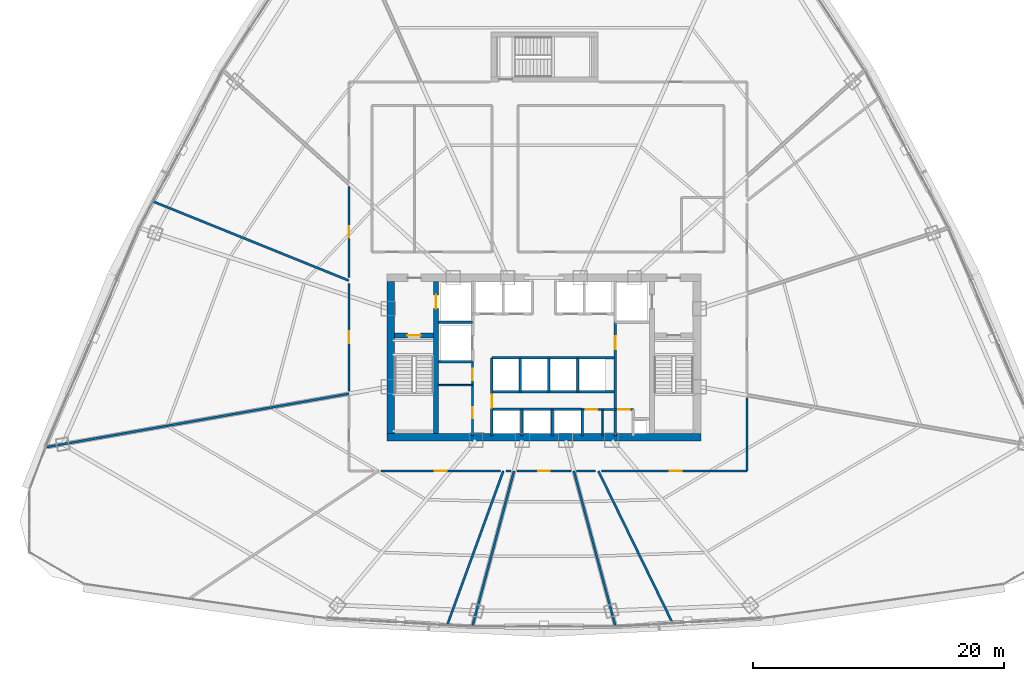
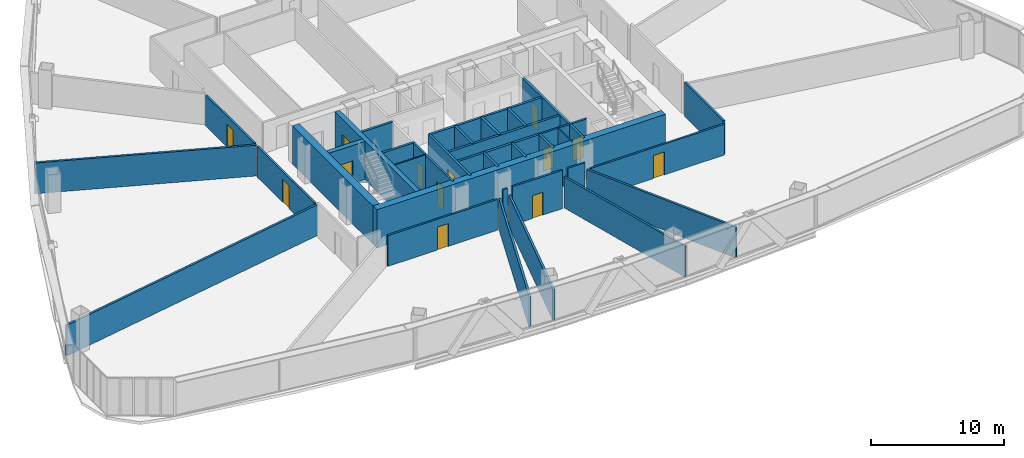
# One storey, part 34 of 41: 35 walls, 13 doors, 13 openings.
"""IFC4 building model written with IfcOpenShell, lengths in metres."""

from ifc_helpers import new_model, si_unit, direction, frame, frame_2d, origin, origin_with_axes, place, context, subcontext, project, spatial, rectangle, extrude, source, transform, mapped, material, layer, layer_set, type_object, element, fill, save


model = new_model("IFC4")

# Units and contexts
model_context = context("Model", 3, precision=1e-05, world=origin(), true_north=direction((0.0, 1.0)))
body_context = subcontext(model_context, "Body", "Model", "MODEL_VIEW")
ifc_project = project(units=[si_unit("LENGTHUNIT", "METRE"), si_unit("AREAUNIT", "SQUARE_METRE"), si_unit("VOLUMEUNIT", "CUBIC_METRE"), si_unit("PLANEANGLEUNIT", "RADIAN"), si_unit("MASSUNIT", "GRAM", prefix="KILO"), si_unit("THERMODYNAMICTEMPERATUREUNIT", "KELVIN"), si_unit("POWERUNIT", "WATT")], contexts=[model_context])

# Site, building, storey
site_placement = place(None, origin())
site = spatial("IfcSite", under=ifc_project, at=site_placement, CompositionType="ELEMENT")
building_placement = place(site_placement, origin())
building = spatial("IfcBuilding", under=site, at=building_placement, Name="Yunzhuo Pagoda Commons", CompositionType="ELEMENT")
storey_placement = place(building_placement, frame((0.0, 0.0, 115.3798828125)))
storey = spatial("IfcBuildingStorey", under=building, at=storey_placement, Name="L29", CompositionType="ELEMENT", Elevation=115.3798828125)

# Walls
ifc_material_1 = material(Name="Concrete C60", Category="concrete")
ifc_layer_1 = layer(ifc_material_1, 0.60009765625)
ifc_layer_set_1 = layer_set([ifc_layer_1], Name="Concrete C60")
wall_type_1 = type_object("IfcWallType", Name="W-C02 Mid Core Shear Wall 600", PredefinedType="SHEAR", material=ifc_layer_set_1)
wall_1_placement = place(storey_placement, frame((35.5, 27.5, 0.0), z_axis=(0.0, 0.0, 1.0), x_axis=(1.0, 0.0, 0.0)))
element("IfcWall", 1, at=wall_1_placement, inside=storey, type_object=wall_type_1, Name="L29 core shear wall S", PredefinedType="SHEAR", context=body_context, shape_type="SweptSolid", body=[
    extrude(rectangle(XDim=25.0, YDim=0.60009765625, at=frame_2d((12.5, 0.0))), origin(), (0.0, 0.0, 1.0), 3.52001953125),
])
wall_2_placement = place(storey_placement, frame((35.800048828125, 27.800048828125, 0.0), z_axis=(0.0, 0.0, 1.0), x_axis=(0.0, 1.0, 0.0)))
element("IfcWall", 2, at=wall_2_placement, inside=storey, type_object=wall_type_1, Name="L29 core shear wall W", PredefinedType="SHEAR", context=body_context, shape_type="SweptSolid", body=[
    extrude(rectangle(XDim=12.099853515625, YDim=0.60009765625, at=frame_2d((6.0498046875, 0.0))), origin(), (0.0, 0.0, 1.0), 3.52001953125),
])

# Wall, openings, doors
ifc_material_2 = material(Name="Gypsum plasterboard on acoustic stud")
ifc_layer_2 = layer(ifc_material_2, 0.159912109375)
ifc_layer_set_2 = layer_set([ifc_layer_2], Name="Gypsum plasterboard on acoustic stud")
wall_type_2 = type_object("IfcWallType", Name="W-COR1 Tower Rated Corridor Wall 160", PredefinedType="PARTITIONING", material=ifc_layer_set_2)
wall_3_placement = place(storey_placement, frame((42.320068359375, 27.60009765625, 0.0), z_axis=(0.0, 0.0, 1.0), x_axis=(0.0, 1.0, 0.0)))
wall_3 = element("IfcWall", 3, at=wall_3_placement, inside=storey, type_object=wall_type_2, Name="L29 interior wall IW-L29-CSWE", PredefinedType="PARTITIONING", context=body_context, shape_type="SweptSolid", body=[
    extrude(rectangle(XDim=5.89990234375, YDim=0.159912109375, at=frame_2d((2.949951171875, 0.0))), origin(), (0.0, 0.0, 1.0), 3.52001953125),
])
opening_1_placement = place(wall_3_placement, frame((1.39990234375, 0.0, 0.0)))
opening_1 = element("IfcOpeningElement", 4, at=opening_1_placement, cuts=wall_3, Name="Opening D-03", PredefinedType="OPENING", context=body_context, shape_type="SweptSolid", body=[
    extrude(rectangle(XDim=0.89990234375, YDim=2.10009765625, at=frame_2d((0.449951171875, 1.050048828125))), frame((0.0, 0.08984375, 0.0), z_axis=(0.0, -1.0, 0.0), x_axis=(1.0, 0.0, 0.0)), (0.0, 0.0, 1.0), 0.179931640625),
])
opening_2_placement = place(wall_3_placement, frame((4.449951171875, 0.0, 0.0)))
opening_2 = element("IfcOpeningElement", 5, at=opening_2_placement, cuts=wall_3, Name="Opening D-03", PredefinedType="OPENING", context=body_context, shape_type="SweptSolid", body=[
    extrude(rectangle(XDim=0.89990234375, YDim=2.10009765625, at=frame_2d((0.449951171875, 1.050048828125))), frame((0.0, 0.08984375, 0.0), z_axis=(0.0, -1.0, 0.0), x_axis=(1.0, 0.0, 0.0)), (0.0, 0.0, 1.0), 0.179931640625),
])
ifc_material_3 = material(Name="Galvanized fire-resisting metal leaf")
door_type_1 = type_object("IfcDoorType", Name="D-03 Core Service Fire Door 900x2100", OperationType="NOTDEFINED", PredefinedType="DOOR", material=ifc_material_3)
shared_shape_1 = source(origin(), body_context, "Body", "SweptSolid", [
    extrude(rectangle(XDim=0.89990234375, YDim=2.10009765625, at=frame_2d((0.449951171875, 1.050048828125))), frame((0.0, 0.02490234375, 0.0), z_axis=(0.0, -1.0, 0.0), x_axis=(1.0, 0.0, 0.0)), (0.0, 0.0, 1.0), 0.050048828125),
])
door_1_placement = place(opening_1_placement, origin_with_axes())
door_1 = element("IfcDoor", 6, at=door_1_placement, inside=storey, type_object=door_type_1, Name="L29 service store door", OperationType="SINGLE_SWING_LEFT", OverallHeight=2.10009765625, OverallWidth=0.89990234375, PredefinedType="DOOR", context=body_context, shape_type="MappedRepresentation", body=[
    mapped(shared_shape_1, transform((0.0, 0.0, 0.0), scale=1.0)),
])
fill(opening_1, door_1)
door_2_placement = place(opening_2_placement, origin_with_axes())
door_2 = element("IfcDoor", 7, at=door_2_placement, inside=storey, type_object=door_type_1, Name="L29 switch closet door", OperationType="SINGLE_SWING_RIGHT", OverallHeight=2.10009765625, OverallWidth=0.89990234375, PredefinedType="DOOR", context=body_context, shape_type="MappedRepresentation", body=[
    mapped(shared_shape_1, transform((0.0, 0.0, 0.0), scale=1.0)),
])
fill(opening_2, door_2)

wall_4_placement = place(storey_placement, frame((51.050048828125, 29.719970703125, 0.0), z_axis=(0.0, 0.0, 1.0), x_axis=(1.0, 0.0, 0.0)))
wall_4 = element("IfcWall", 8, at=wall_4_placement, inside=storey, type_object=wall_type_2, Name="L29 interior wall IW-L29-CSES", PredefinedType="PARTITIONING", context=body_context, shape_type="SweptSolid", body=[
    extrude(rectangle(XDim=4.070068359375, YDim=0.159912109375, at=frame_2d((2.03515625, 0.0))), origin(), (0.0, 0.0, 1.0), 3.52001953125),
])
opening_3_placement = place(wall_4_placement, frame((0.300048828125, 0.0, 0.0)))
opening_3 = element("IfcOpeningElement", 9, at=opening_3_placement, cuts=wall_4, Name="Opening D-03", PredefinedType="OPENING", context=body_context, shape_type="SweptSolid", body=[
    extrude(rectangle(XDim=0.89990234375, YDim=2.10009765625, at=frame_2d((0.449951171875, 1.050048828125))), frame((0.0, 0.08984375, 0.0), z_axis=(0.0, -1.0, 0.0), x_axis=(1.0, 0.0, 0.0)), (0.0, 0.0, 1.0), 0.179931640625),
])
opening_4_placement = place(wall_4_placement, frame((2.860107421875, 0.0, 0.0)))
opening_4 = element("IfcOpeningElement", 10, at=opening_4_placement, cuts=wall_4, Name="Opening D-11", PredefinedType="OPENING", context=body_context, shape_type="SweptSolid", body=[
    extrude(rectangle(XDim=0.93994140625, YDim=2.10009765625, at=frame_2d((0.469970703125, 1.050048828125))), frame((0.0, 0.08984375, 0.0), z_axis=(0.0, -1.0, 0.0), x_axis=(1.0, 0.0, 0.0)), (0.0, 0.0, 1.0), 0.179931640625),
])
door_3_placement = place(opening_3_placement, origin_with_axes())
door_3 = element("IfcDoor", 11, at=door_3_placement, inside=storey, type_object=door_type_1, Name="L29 cleaner door", OperationType="SINGLE_SWING_LEFT", OverallHeight=2.10009765625, OverallWidth=0.89990234375, PredefinedType="DOOR", context=body_context, shape_type="MappedRepresentation", body=[
    mapped(shared_shape_1, transform((0.0, 0.0, 0.0), scale=1.0)),
])
fill(opening_3, door_3)
door_type_2 = type_object("IfcDoorType", Name="D-11 Accessible Washroom Fire Door 940x2100", OperationType="NOTDEFINED", PredefinedType="DOOR", material=ifc_material_3)
shared_shape_2 = source(origin(), body_context, "Body", "SweptSolid", [
    extrude(rectangle(XDim=0.93994140625, YDim=2.10009765625, at=frame_2d((0.469970703125, 1.050048828125))), frame((0.0, 0.02490234375, 0.0), z_axis=(0.0, -1.0, 0.0), x_axis=(1.0, 0.0, 0.0)), (0.0, 0.0, 1.0), 0.050048828125),
])
door_4_placement = place(opening_4_placement, origin_with_axes())
door_4 = element("IfcDoor", 12, at=door_4_placement, inside=storey, type_object=door_type_2, Name="L29 core WC door", OperationType="SINGLE_SWING_RIGHT", OverallHeight=2.10009765625, OverallWidth=0.93994140625, PredefinedType="DOOR", context=body_context, shape_type="MappedRepresentation", body=[
    mapped(shared_shape_2, transform((0.0, 0.0, 0.0), scale=1.0)),
])
fill(opening_4, door_4)

# Wall, opening, door
wall_5_placement = place(storey_placement, frame((32.449951171875, 31.177978515625, 0.0), z_axis=(0.0, 0.0, 1.0), x_axis=(0.0, 1.0, 0.0)))
wall_5 = element("IfcWall", 13, at=wall_5_placement, inside=storey, type_object=wall_type_2, Name="L29 interior wall IW-L29-CWL02", PredefinedType="PARTITIONING", context=body_context, shape_type="SweptSolid", body=[
    extrude(rectangle(XDim=8.584716796875, YDim=0.159912109375, at=frame_2d((4.29248046875, 0.0))), origin(), (0.0, 0.0, 1.0), 2.820068359375),
])
opening_5_placement = place(wall_5_placement, frame((3.8173828125, 0.0, 0.0)))
opening_5 = element("IfcOpeningElement", 14, at=opening_5_placement, cuts=wall_5, Name="Opening D-06", PredefinedType="OPENING", context=body_context, shape_type="SweptSolid", body=[
    extrude(rectangle(XDim=0.949951171875, YDim=2.10009765625, at=frame_2d((0.47509765625, 1.050048828125))), frame((0.0, 0.08984375, 0.0), z_axis=(0.0, -1.0, 0.0), x_axis=(1.0, 0.0, 0.0)), (0.0, 0.0, 1.0), 0.179931640625),
])
door_type_3 = type_object("IfcDoorType", Name="D-06 Co-Living Suite Entrance Fire Door 950x2100", OperationType="NOTDEFINED", PredefinedType="DOOR", material=ifc_material_3)
shared_shape_3 = source(origin(), body_context, "Body", "SweptSolid", [
    extrude(rectangle(XDim=0.949951171875, YDim=2.10009765625, at=frame_2d((0.47509765625, 1.050048828125))), frame((0.0, 0.02490234375, 0.0), z_axis=(0.0, -1.0, 0.0), x_axis=(1.0, 0.0, 0.0)), (0.0, 0.0, 1.0), 0.050048828125),
])
door_5_placement = place(opening_5_placement, origin_with_axes())
door_5 = element("IfcDoor", 15, at=door_5_placement, inside=storey, type_object=door_type_3, Name="L29 Resident Co-Living Commons Hall door", OperationType="SINGLE_SWING_RIGHT", OverallHeight=2.10009765625, OverallWidth=0.949951171875, PredefinedType="DOOR", context=body_context, shape_type="MappedRepresentation", body=[
    mapped(shared_shape_3, transform((0.0, 0.0, 0.0), scale=1.0)),
])
fill(opening_5, door_5)

wall_6_placement = place(storey_placement, frame((32.449951171875, 40.219970703125, 0.0), z_axis=(0.0, 0.0, 1.0), x_axis=(0.0, 1.0, 0.0)))
wall_6 = element("IfcWall", 16, at=wall_6_placement, inside=storey, type_object=wall_type_2, Name="L29 interior wall IW-L29-CWL03", PredefinedType="PARTITIONING", context=body_context, shape_type="SweptSolid", body=[
    extrude(rectangle(XDim=7.26171875, YDim=0.159912109375, at=frame_2d((3.630859375, 0.0))), origin(), (0.0, 0.0, 1.0), 2.820068359375),
])
opening_6_placement = place(wall_6_placement, frame((3.162109375, 0.0, 0.0)))
opening_6 = element("IfcOpeningElement", 17, at=opening_6_placement, cuts=wall_6, Name="Opening D-04", PredefinedType="OPENING", context=body_context, shape_type="SweptSolid", body=[
    extrude(rectangle(XDim=0.919921875, YDim=2.10009765625, at=frame_2d((0.4599609375, 1.050048828125))), frame((0.0, 0.08984375, 0.0), z_axis=(0.0, -1.0, 0.0), x_axis=(1.0, 0.0, 0.0)), (0.0, 0.0, 1.0), 0.179931640625),
])
ifc_material_4 = material(Name="Powder-coated aluminium and timber acoustic leaf", Category="wood")
door_type_4 = type_object("IfcDoorType", Name="D-04 Bedroom & Study Interior Door 920x2100", OperationType="NOTDEFINED", PredefinedType="DOOR", material=ifc_material_4)
shared_shape_4 = source(origin(), body_context, "Body", "SweptSolid", [
    extrude(rectangle(XDim=0.919921875, YDim=2.10009765625, at=frame_2d((0.4599609375, 1.050048828125))), frame((0.0, 0.02490234375, 0.0), z_axis=(0.0, -1.0, 0.0), x_axis=(1.0, 0.0, 0.0)), (0.0, 0.0, 1.0), 0.050048828125),
])
door_6_placement = place(opening_6_placement, origin_with_axes())
door_6 = element("IfcDoor", 18, at=door_6_placement, inside=storey, type_object=door_type_4, Name="L29 seminar room 06 door", OperationType="SINGLE_SWING_LEFT", OverallHeight=2.10009765625, OverallWidth=0.919921875, PredefinedType="DOOR", context=body_context, shape_type="MappedRepresentation", body=[
    mapped(shared_shape_4, transform((0.0, 0.0, 0.0), scale=1.0)),
])
fill(opening_6, door_6)

# Wall
wall_7_placement = place(storey_placement, frame((64.199951171875, 30.6201171875, 0.0), z_axis=(0.0, 0.0, 1.0), x_axis=(0.0, -1.0, 0.0)))
element("IfcWall", 19, at=wall_7_placement, inside=storey, type_object=wall_type_2, Name="L29 interior wall IW-L29-CWL12", PredefinedType="PARTITIONING", context=body_context, shape_type="SweptSolid", body=[
    extrude(rectangle(XDim=5.820068359375, YDim=0.159912109375, at=frame_2d((2.91015625, 0.0))), origin(), (0.0, 0.0, 1.0), 3.1201171875),
])

# Wall, opening, door
wall_8_placement = place(storey_placement, frame((64.199951171875, 24.800048828125, 0.0), z_axis=(0.0, 0.0, 1.0), x_axis=(-1.0, 0.0, 0.0)))
wall_8 = element("IfcWall", 20, at=wall_8_placement, inside=storey, type_object=wall_type_2, Name="L29 interior wall IW-L29-CWL13", PredefinedType="PARTITIONING", context=body_context, shape_type="SweptSolid", body=[
    extrude(rectangle(XDim=11.6142578125, YDim=0.159912109375, at=frame_2d((5.80712890625, 0.0))), origin(), (0.0, 0.0, 1.0), 2.820068359375),
])
opening_7_placement = place(wall_8_placement, frame((5.224609375, 0.0, 0.0)))
opening_7 = element("IfcOpeningElement", 21, at=opening_7_placement, cuts=wall_8, Name="Opening D-06", PredefinedType="OPENING", context=body_context, shape_type="SweptSolid", body=[
    extrude(rectangle(XDim=0.949951171875, YDim=2.10009765625, at=frame_2d((0.47509765625, 1.050048828125))), frame((0.0, 0.08984375, 0.0), z_axis=(0.0, -1.0, 0.0), x_axis=(1.0, 0.0, 0.0)), (0.0, 0.0, 1.0), 0.179931640625),
])
door_7_placement = place(opening_7_placement, origin_with_axes())
door_7 = element("IfcDoor", 22, at=door_7_placement, inside=storey, type_object=door_type_3, Name="L29 Academic Reading Commons 3 door", OperationType="SINGLE_SWING_RIGHT", OverallHeight=2.10009765625, OverallWidth=0.949951171875, PredefinedType="DOOR", context=body_context, shape_type="MappedRepresentation", body=[
    mapped(shared_shape_3, transform((0.0, 0.0, 0.0), scale=1.0)),
])
fill(opening_7, door_7)

# Wall
wall_9_placement = place(storey_placement, frame((52.12109375, 24.800048828125, 0.0), z_axis=(0.0, 0.0, 1.0), x_axis=(-1.0, 0.0, 0.0)))
element("IfcWall", 23, at=wall_9_placement, inside=storey, type_object=wall_type_2, Name="L29 interior wall IW-L29-CWL14", PredefinedType="PARTITIONING", context=body_context, shape_type="SweptSolid", body=[
    extrude(rectangle(XDim=1.508544921875, YDim=0.159912109375, at=frame_2d((0.75439453125, 0.0))), origin(), (0.0, 0.0, 1.0), 3.52001953125),
])

# Wall, opening, door
wall_10_placement = place(storey_placement, frame((50.164794921875, 24.800048828125, 0.0), z_axis=(0.0, 0.0, 1.0), x_axis=(-1.0, 0.0, 0.0)))
wall_10 = element("IfcWall", 24, at=wall_10_placement, inside=storey, type_object=wall_type_2, Name="L29 interior wall IW-L29-CWL15", PredefinedType="PARTITIONING", context=body_context, shape_type="SweptSolid", body=[
    extrude(rectangle(XDim=4.32958984375, YDim=0.159912109375, at=frame_2d((2.164794921875, 0.0))), origin(), (0.0, 0.0, 1.0), 3.52001953125),
])
opening_8_placement = place(wall_10_placement, frame((1.704833984375, 0.0, 0.0)))
opening_8 = element("IfcOpeningElement", 25, at=opening_8_placement, cuts=wall_10, Name="Opening D-04", PredefinedType="OPENING", context=body_context, shape_type="SweptSolid", body=[
    extrude(rectangle(XDim=0.919921875, YDim=2.10009765625, at=frame_2d((0.4599609375, 1.050048828125))), frame((0.0, 0.08984375, 0.0), z_axis=(0.0, -1.0, 0.0), x_axis=(1.0, 0.0, 0.0)), (0.0, 0.0, 1.0), 0.179931640625),
])
door_8_placement = place(opening_8_placement, origin_with_axes())
door_8 = element("IfcDoor", 26, at=door_8_placement, inside=storey, type_object=door_type_4, Name="L29 seminar room 11 door", OperationType="SINGLE_SWING_RIGHT", OverallHeight=2.10009765625, OverallWidth=0.919921875, PredefinedType="DOOR", context=body_context, shape_type="MappedRepresentation", body=[
    mapped(shared_shape_4, transform((0.0, 0.0, 0.0), scale=1.0)),
])
fill(opening_8, door_8)

# Wall
wall_11_placement = place(storey_placement, frame((45.387451171875, 24.800048828125, 0.0), z_axis=(0.0, 0.0, 1.0), x_axis=(-1.0, 0.0, 0.0)))
element("IfcWall", 27, at=wall_11_placement, inside=storey, type_object=wall_type_2, Name="L29 interior wall IW-L29-CWL16", PredefinedType="PARTITIONING", context=body_context, shape_type="SweptSolid", body=[
    extrude(rectangle(XDim=0.406982421875, YDim=0.159912109375, at=frame_2d((0.20361328125, 0.0))), origin(), (0.0, 0.0, 1.0), 3.52001953125),
])

# Wall, opening, door
wall_12_placement = place(storey_placement, frame((44.526611328125, 24.800048828125, 0.0), z_axis=(0.0, 0.0, 1.0), x_axis=(-1.0, 0.0, 0.0)))
wall_12 = element("IfcWall", 28, at=wall_12_placement, inside=storey, type_object=wall_type_2, Name="L29 interior wall IW-L29-CWL17", PredefinedType="PARTITIONING", context=body_context, shape_type="SweptSolid", body=[
    extrude(rectangle(XDim=9.50146484375, YDim=0.159912109375, at=frame_2d((4.750732421875, 0.0))), origin(), (0.0, 0.0, 1.0), 2.820068359375),
])
opening_9_placement = place(wall_12_placement, frame((4.268798828125, 0.0, 0.0)))
opening_9 = element("IfcOpeningElement", 29, at=opening_9_placement, cuts=wall_12, Name="Opening D-06", PredefinedType="OPENING", context=body_context, shape_type="SweptSolid", body=[
    extrude(rectangle(XDim=0.949951171875, YDim=2.10009765625, at=frame_2d((0.47509765625, 1.050048828125))), frame((0.0, 0.08984375, 0.0), z_axis=(0.0, -1.0, 0.0), x_axis=(1.0, 0.0, 0.0)), (0.0, 0.0, 1.0), 0.179931640625),
])
door_9_placement = place(opening_9_placement, origin_with_axes())
door_9 = element("IfcDoor", 30, at=door_9_placement, inside=storey, type_object=door_type_3, Name="L29 Academic Reading Commons 2 door", OperationType="SINGLE_SWING_RIGHT", OverallHeight=2.10009765625, OverallWidth=0.949951171875, PredefinedType="DOOR", context=body_context, shape_type="MappedRepresentation", body=[
    mapped(shared_shape_3, transform((0.0, 0.0, 0.0), scale=1.0)),
])
fill(opening_9, door_9)

# Walls
ifc_layer_3 = layer(ifc_material_2, 0.1201171875)
ifc_layer_set_3 = layer_set([ifc_layer_3], Name="Gypsum plasterboard on acoustic stud")
wall_type_3 = type_object("IfcWallType", Name="W-PRT1 Suite & Bathroom Partition 120", PredefinedType="PARTITIONING", material=ifc_layer_set_3)
wall_13_placement = place(storey_placement, frame((39.60009765625, 31.64990234375, 0.0), z_axis=(0.0, 0.0, 1.0), x_axis=(1.0, 0.0, 0.0)))
element("IfcWall", 31, at=wall_13_placement, inside=storey, type_object=wall_type_3, Name="L29 interior wall IW-L29-CD1", PredefinedType="PARTITIONING", context=body_context, shape_type="SweptSolid", body=[
    extrude(rectangle(XDim=2.719970703125, YDim=0.1201171875, at=frame_2d((1.35986328125, 0.0))), origin(), (0.0, 0.0, 1.0), 3.52001953125),
])
wall_14_placement = place(storey_placement, frame((52.64990234375, 27.60009765625, 0.0), z_axis=(0.0, 0.0, 1.0), x_axis=(0.0, 1.0, 0.0)))
element("IfcWall", 32, at=wall_14_placement, inside=storey, type_object=wall_type_3, Name="L29 interior wall IW-L29-CD2", PredefinedType="PARTITIONING", context=body_context, shape_type="SweptSolid", body=[
    extrude(rectangle(XDim=2.119873046875, YDim=0.1201171875, at=frame_2d((1.06005859375, 0.0))), origin(), (0.0, 0.0, 1.0), 3.52001953125),
])
ifc_layer_4 = layer(ifc_material_2, 0.179931640625)
ifc_layer_set_4 = layer_set([ifc_layer_4], Name="Gypsum plasterboard on acoustic stud")
wall_type_4 = type_object("IfcWallType", Name="W-PRT2 Acoustic Unit Demising Wall 180", PredefinedType="PARTITIONING", material=ifc_layer_set_4)
wall_15_placement = place(storey_placement, frame((32.449951171875, 39.982666015625, 0.0), z_axis=(0.0, 0.0, 1.0), x_axis=(-0.927182599154, 0.374609700656, 0.0)))
element("IfcWall", 33, at=wall_15_placement, inside=storey, type_object=wall_type_4, Name="L29 interior wall IW-L29-RAD06", PredefinedType="PARTITIONING", context=body_context, shape_type="SweptSolid", body=[
    extrude(rectangle(XDim=16.817626953125, YDim=0.179931640625, at=frame_2d((8.40869140625, 0.0))), origin(), (0.0, 0.0, 1.0), 2.820068359375),
])
wall_16_placement = place(storey_placement, frame((32.449951171875, 30.9580078125, 0.0), z_axis=(0.0, 0.0, 1.0), x_axis=(-0.984808478557, -0.17364406285, 0.0)))
element("IfcWall", 34, at=wall_16_placement, inside=storey, type_object=wall_type_4, Name="L29 interior wall IW-L29-RAD07", PredefinedType="PARTITIONING", context=body_context, shape_type="SweptSolid", body=[
    extrude(rectangle(XDim=24.548583984375, YDim=0.179931640625, at=frame_2d((12.2744140625, 0.0))), origin(), (0.0, 0.0, 1.0), 2.820068359375),
])
wall_17_placement = place(storey_placement, frame((44.7607421875, 24.800048828125, 0.0), z_axis=(0.0, 0.0, 1.0), x_axis=(-0.342023223654, -0.939691499632, 0.0)))
element("IfcWall", 35, at=wall_17_placement, inside=storey, type_object=wall_type_4, Name="L29 interior wall IW-L29-RAD09", PredefinedType="PARTITIONING", context=body_context, shape_type="SweptSolid", body=[
    extrude(rectangle(XDim=13.08349609375, YDim=0.179931640625, at=frame_2d((6.541748046875, 0.0))), origin(), (0.0, 0.0, 1.0), 2.820068359375),
])
for number, where, z_axis, x_axis, name in (
    (36, (45.615234375, 24.800048828125, 0.0), (0.0, 0.0, 1.0), (-0.258818094647, -0.965926080962, 0.0), "L29 interior wall IW-L29-RAD10"),
    (37, (50.384765625, 24.800048828125, 0.0), (0.0, 0.0, 1.0), (0.258818094647, -0.965926080962, 0.0), "L29 interior wall IW-L29-RAD11"),
):
    element("IfcWall", number, at=place(storey_placement, frame(where, z_axis=z_axis, x_axis=x_axis)), inside=storey, type_object=wall_type_4, Name=name, PredefinedType="PARTITIONING", context=body_context, shape_type="SweptSolid", body=[
        extrude(rectangle(XDim=12.8466796875, YDim=0.179931640625, at=frame_2d((6.42333984375, 0.0))), origin(), (0.0, 0.0, 1.0), 2.820068359375),
    ])
wall_18_placement = place(storey_placement, frame((52.3408203125, 24.800048828125, 0.0), z_axis=(0.0, 0.0, 1.0), x_axis=(0.438370251769, -0.898794482829, 0.0)))
element("IfcWall", 38, at=wall_18_placement, inside=storey, type_object=wall_type_4, Name="L29 interior wall IW-L29-RAD12", PredefinedType="PARTITIONING", context=body_context, shape_type="SweptSolid", body=[
    extrude(rectangle(XDim=13.5166015625, YDim=0.179931640625, at=frame_2d((6.75830078125, 0.0))), origin(), (0.0, 0.0, 1.0), 2.820068359375),
])

# Wall, opening, door
ifc_layer_5 = layer(ifc_material_1, 0.39990234375)
ifc_layer_set_5 = layer_set([ifc_layer_5], Name="Concrete C60")
wall_type_5 = type_object("IfcWallType", Name="W-S01 Internal Core Shear Web 400", PredefinedType="SHEAR", material=ifc_layer_set_5)
wall_19_placement = place(storey_placement, frame((39.39990234375, 27.800048828125, 0.0), z_axis=(0.0, 0.0, 1.0), x_axis=(0.0, 1.0, 0.0)))
wall_19 = element("IfcWall", 39, at=wall_19_placement, inside=storey, type_object=wall_type_5, Name="L29 core shear wall WEBW", PredefinedType="SHEAR", context=body_context, shape_type="SweptSolid", body=[
    extrude(rectangle(XDim=12.099853515625, YDim=0.39990234375, at=frame_2d((6.0498046875, 0.0))), origin(), (0.0, 0.0, 1.0), 3.52001953125),
])
opening_10_placement = place(wall_19_placement, frame((9.949951171875, 0.0, 0.0)))
opening_10 = element("IfcOpeningElement", 40, at=opening_10_placement, cuts=wall_19, Name="Opening LD-01", PredefinedType="OPENING", context=body_context, shape_type="SweptSolid", body=[
    extrude(rectangle(XDim=1.10009765625, YDim=2.10009765625, at=frame_2d((0.550048828125, 1.050048828125))), frame((0.0, 0.2099609375, 0.0), z_axis=(0.0, -1.0, 0.0), x_axis=(1.0, 0.0, 0.0)), (0.0, 0.0, 1.0), 0.419921875),
])
door_type_5 = type_object("IfcDoorType", Name="LD-01 Firefighting Lift Landing Door 1100x2100", OperationType="DOUBLE_DOOR_SLIDING", PredefinedType="DOOR", material=ifc_material_3)
shared_shape_5 = source(origin(), body_context, "Body", "SweptSolid", [
    extrude(rectangle(XDim=1.10009765625, YDim=2.10009765625, at=frame_2d((0.550048828125, 1.050048828125))), frame((0.0, 0.02490234375, 0.0), z_axis=(0.0, -1.0, 0.0), x_axis=(1.0, 0.0, 0.0)), (0.0, 0.0, 1.0), 0.050048828125),
])
door_10_placement = place(opening_10_placement, frame((1.10009765625, 0.0, 0.0), z_axis=(0.0, 0.0, 1.0), x_axis=(-1.0, 0.0, 0.0)))
door_10 = element("IfcDoor", 41, at=door_10_placement, inside=storey, type_object=door_type_5, Name="L29 Firefighting lift FL-1 landing door", OperationType="DOUBLE_DOOR_SLIDING", OverallHeight=2.10009765625, OverallWidth=1.10009765625, PredefinedType="DOOR", context=body_context, shape_type="MappedRepresentation", body=[
    mapped(shared_shape_5, transform((0.0, 0.0, 0.0), scale=1.0)),
])
fill(opening_10, door_10)

wall_20_placement = place(storey_placement, frame((36.10009765625, 35.60009765625, 0.0), z_axis=(0.0, 0.0, 1.0), x_axis=(1.0, 0.0, 0.0)))
wall_20 = element("IfcWall", 42, at=wall_20_placement, inside=storey, type_object=wall_type_5, Name="L29 core shear wall STW", PredefinedType="SHEAR", context=body_context, shape_type="SweptSolid", body=[
    extrude(rectangle(XDim=3.099853515625, YDim=0.39990234375, at=frame_2d((1.5498046875, 0.0))), origin(), (0.0, 0.0, 1.0), 3.52001953125),
])
opening_11_placement = place(wall_20_placement, frame((1.02001953125, 0.0, 0.0)))
opening_11 = element("IfcOpeningElement", 43, at=opening_11_placement, cuts=wall_20, Name="Opening D-01", PredefinedType="OPENING", context=body_context, shape_type="SweptSolid", body=[
    extrude(rectangle(XDim=1.050048828125, YDim=2.10009765625, at=frame_2d((0.52490234375, 1.050048828125))), frame((0.0, 0.2099609375, 0.0), z_axis=(0.0, -1.0, 0.0), x_axis=(1.0, 0.0, 0.0)), (0.0, 0.0, 1.0), 0.419921875),
])
door_type_6 = type_object("IfcDoorType", Name="D-01 Smokeproof Stair Fire Door 1050x2100", OperationType="NOTDEFINED", PredefinedType="DOOR", material=ifc_material_3)
shared_shape_6 = source(origin(), body_context, "Body", "SweptSolid", [
    extrude(rectangle(XDim=1.050048828125, YDim=2.10009765625, at=frame_2d((0.52490234375, 1.050048828125))), frame((0.0, 0.02490234375, 0.0), z_axis=(0.0, -1.0, 0.0), x_axis=(1.0, 0.0, 0.0)), (0.0, 0.0, 1.0), 0.050048828125),
])
door_11_placement = place(opening_11_placement, frame((1.050048828125, 0.0, 0.0), z_axis=(0.0, 0.0, 1.0), x_axis=(-1.0, 0.0, 0.0)))
door_11 = element("IfcDoor", 44, at=door_11_placement, inside=storey, type_object=door_type_6, Name="L29 Stair ST1 fire door", OperationType="SINGLE_SWING_LEFT", OverallHeight=2.10009765625, OverallWidth=1.050048828125, PredefinedType="DOOR", context=body_context, shape_type="MappedRepresentation", body=[
    mapped(shared_shape_6, transform((0.0, 0.0, 0.0), scale=1.0)),
])
fill(opening_11, door_11)

# Walls
ifc_material_5 = material(Name="Concrete C40", Category="concrete")
ifc_layer_6 = layer(ifc_material_5, 0.199951171875)
ifc_layer_set_6 = layer_set([ifc_layer_6], Name="Concrete C40")
wall_type_6 = type_object("IfcWallType", Name="W-SHF Shaft & Stair Enclosure Wall 200", PredefinedType="SOLIDWALL", material=ifc_layer_set_6)
for number, where, z_axis, x_axis, name in (
    (45, (39.60009765625, 36.64990234375, 0.0), (0.0, 0.0, 1.0), (1.0, 0.0, 0.0), "L29 interior wall IW-L29-FL1S"),
    (46, (39.60009765625, 33.5, 0.0), (0.0, 0.0, 1.0), (1.0, 0.0, 0.0), "L29 interior wall IW-L29-SL1S"),
):
    element("IfcWall", number, at=place(storey_placement, frame(where, z_axis=z_axis, x_axis=x_axis)), inside=storey, type_object=wall_type_6, Name=name, PredefinedType="SOLIDWALL", context=body_context, shape_type="SweptSolid", body=[
        extrude(rectangle(XDim=2.719970703125, YDim=0.199951171875, at=frame_2d((1.35986328125, 0.0))), origin(), (0.0, 0.0, 1.0), 3.52001953125),
    ])
wall_21_placement = place(storey_placement, frame((43.85009765625, 33.820068359375, 0.0), z_axis=(0.0, 0.0, 1.0), x_axis=(1.0, 0.0, 0.0)))
element("IfcWall", 47, at=wall_21_placement, inside=storey, type_object=wall_type_6, Name="L29 interior wall IW-L29-MLBS", PredefinedType="SOLIDWALL", context=body_context, shape_type="SweptSolid", body=[
    extrude(rectangle(XDim=9.829833984375, YDim=0.199951171875, at=frame_2d((4.9150390625, 0.0))), origin(), (0.0, 0.0, 1.0), 3.52001953125),
])

# Wall, opening, door
wall_22_placement = place(storey_placement, frame((43.85009765625, 27.60009765625, 0.0), z_axis=(0.0, 0.0, 1.0), x_axis=(0.0, 1.0, 0.0)))
wall_22 = element("IfcWall", 48, at=wall_22_placement, inside=storey, type_object=wall_type_6, Name="L29 interior wall IW-L29-PLMW", PredefinedType="SOLIDWALL", context=body_context, shape_type="SweptSolid", body=[
    extrude(rectangle(XDim=6.219970703125, YDim=0.199951171875, at=frame_2d((3.10986328125, 0.0))), origin(), (0.0, 0.0, 1.0), 3.52001953125),
])
opening_12_placement = place(wall_22_placement, frame((2.25, 0.0, 0.0)))
opening_12 = element("IfcOpeningElement", 49, at=opening_12_placement, cuts=wall_22, Name="Opening D-02", PredefinedType="OPENING", context=body_context, shape_type="SweptSolid", body=[
    extrude(rectangle(XDim=1.050048828125, YDim=2.10009765625, at=frame_2d((0.52490234375, 1.050048828125))), frame((0.0, 0.10986328125, 0.0), z_axis=(0.0, -1.0, 0.0), x_axis=(1.0, 0.0, 0.0)), (0.0, 0.0, 1.0), 0.219970703125),
])
door_type_7 = type_object("IfcDoorType", Name="D-02 Firefighting Lobby & Refuge Fire Door 1050x2100", OperationType="NOTDEFINED", PredefinedType="DOOR", material=ifc_material_3)
door_12_placement = place(opening_12_placement, frame((1.050048828125, 0.0, 0.0), z_axis=(0.0, 0.0, 1.0), x_axis=(-1.0, 0.0, 0.0)))
door_12 = element("IfcDoor", 50, at=door_12_placement, inside=storey, type_object=door_type_7, Name="L29 High-bank hall west door", OperationType="SINGLE_SWING_LEFT", OverallHeight=2.10009765625, OverallWidth=1.050048828125, PredefinedType="DOOR", context=body_context, shape_type="MappedRepresentation", body=[
    mapped(shared_shape_6, transform((0.0, 0.0, 0.0), scale=1.0)),
])
fill(opening_12, door_12)

wall_23_placement = place(storey_placement, frame((53.679931640625, 27.60009765625, 0.0), z_axis=(0.0, 0.0, 1.0), x_axis=(0.0, 1.0, 0.0)))
wall_23 = element("IfcWall", 51, at=wall_23_placement, inside=storey, type_object=wall_type_6, Name="L29 interior wall IW-L29-PLME", PredefinedType="SOLIDWALL", context=body_context, shape_type="SweptSolid", body=[
    extrude(rectangle(XDim=9.0498046875, YDim=0.199951171875, at=frame_2d((4.52490234375, 0.0))), origin(), (0.0, 0.0, 1.0), 3.52001953125),
])
opening_13_placement = place(wall_23_placement, frame((6.89990234375, 0.0, 0.0)))
opening_13 = element("IfcOpeningElement", 52, at=opening_13_placement, cuts=wall_23, Name="Opening D-02", PredefinedType="OPENING", context=body_context, shape_type="SweptSolid", body=[
    extrude(rectangle(XDim=1.050048828125, YDim=2.10009765625, at=frame_2d((0.52490234375, 1.050048828125))), frame((0.0, 0.10986328125, 0.0), z_axis=(0.0, -1.0, 0.0), x_axis=(1.0, 0.0, 0.0)), (0.0, 0.0, 1.0), 0.219970703125),
])
door_13_placement = place(opening_13_placement, origin_with_axes())
door_13 = element("IfcDoor", 53, at=door_13_placement, inside=storey, type_object=door_type_7, Name="L29 High-bank lift hall door", OperationType="SINGLE_SWING_RIGHT", OverallHeight=2.10009765625, OverallWidth=1.050048828125, PredefinedType="DOOR", context=body_context, shape_type="MappedRepresentation", body=[
    mapped(shared_shape_6, transform((0.0, 0.0, 0.0), scale=1.0)),
])
fill(opening_13, door_13)

# Walls
for number, where, z_axis, x_axis, name in (
    (54, (46.10009765625, 31.1201171875, 0.0), (0.0, 0.0, 1.0), (0.0, 1.0, 0.0), "L29 interior wall IW-L29-PLMD1"),
    (55, (48.39990234375, 31.1201171875, 0.0), (0.0, 0.0, 1.0), (0.0, 1.0, 0.0), "L29 interior wall IW-L29-PLMD2"),
    (56, (50.699951171875, 31.1201171875, 0.0), (0.0, 0.0, 1.0), (0.0, 1.0, 0.0), "L29 interior wall IW-L29-PLMD3"),
):
    element("IfcWall", number, at=place(storey_placement, frame(where, z_axis=z_axis, x_axis=x_axis)), inside=storey, type_object=wall_type_6, Name=name, PredefinedType="SOLIDWALL", context=body_context, shape_type="SweptSolid", body=[
        extrude(rectangle(XDim=2.699951171875, YDim=0.199951171875, at=frame_2d((1.35009765625, 0.0))), origin(), (0.0, 0.0, 1.0), 3.52001953125),
    ])
wall_24_placement = place(storey_placement, frame((43.85009765625, 29.719970703125, 0.0), z_axis=(0.0, 0.0, 1.0), x_axis=(1.0, 0.0, 0.0)))
element("IfcWall", 57, at=wall_24_placement, inside=storey, type_object=wall_type_6, Name="L29 interior wall IW-L29-PLHN", PredefinedType="SOLIDWALL", context=body_context, shape_type="SweptSolid", body=[
    extrude(rectangle(XDim=7.199951171875, YDim=0.199951171875, at=frame_2d((3.60009765625, 0.0))), origin(), (0.0, 0.0, 1.0), 3.52001953125),
])
wall_25_placement = place(storey_placement, frame((51.050048828125, 27.60009765625, 0.0), z_axis=(0.0, 0.0, 1.0), x_axis=(0.0, 1.0, 0.0)))
element("IfcWall", 58, at=wall_25_placement, inside=storey, type_object=wall_type_6, Name="L29 interior wall IW-L29-PLHE", PredefinedType="SOLIDWALL", context=body_context, shape_type="SweptSolid", body=[
    extrude(rectangle(XDim=2.119873046875, YDim=0.199951171875, at=frame_2d((1.06005859375, 0.0))), origin(), (0.0, 0.0, 1.0), 3.52001953125),
])
wall_26_placement = place(storey_placement, frame((43.85009765625, 31.1201171875, 0.0), z_axis=(0.0, 0.0, 1.0), x_axis=(1.0, 0.0, 0.0)))
element("IfcWall", 59, at=wall_26_placement, inside=storey, type_object=wall_type_6, Name="L29 interior wall IW-L29-PLMS2", PredefinedType="SOLIDWALL", context=body_context, shape_type="SweptSolid", body=[
    extrude(rectangle(XDim=9.829833984375, YDim=0.199951171875, at=frame_2d((4.9150390625, 0.0))), origin(), (0.0, 0.0, 1.0), 3.52001953125),
])
for number, where, z_axis, x_axis, name in (
    (60, (46.22509765625, 27.60009765625, 0.0), (0.0, 0.0, 1.0), (0.0, 1.0, 0.0), "L29 interior wall IW-L29-PLHD1"),
    (61, (48.675048828125, 27.60009765625, 0.0), (0.0, 0.0, 1.0), (0.0, 1.0, 0.0), "L29 interior wall IW-L29-PLHD2"),
):
    element("IfcWall", number, at=place(storey_placement, frame(where, z_axis=z_axis, x_axis=x_axis)), inside=storey, type_object=wall_type_6, Name=name, PredefinedType="SOLIDWALL", context=body_context, shape_type="SweptSolid", body=[
        extrude(rectangle(XDim=2.119873046875, YDim=0.199951171875, at=frame_2d((1.06005859375, 0.0))), origin(), (0.0, 0.0, 1.0), 3.52001953125),
    ])

save(model, "model.ifc")
